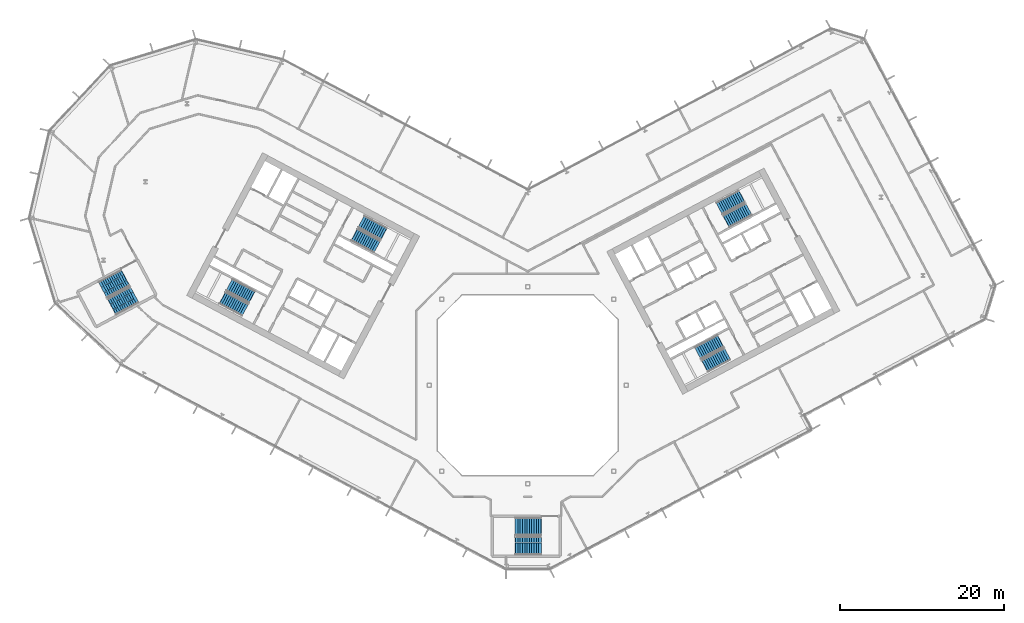
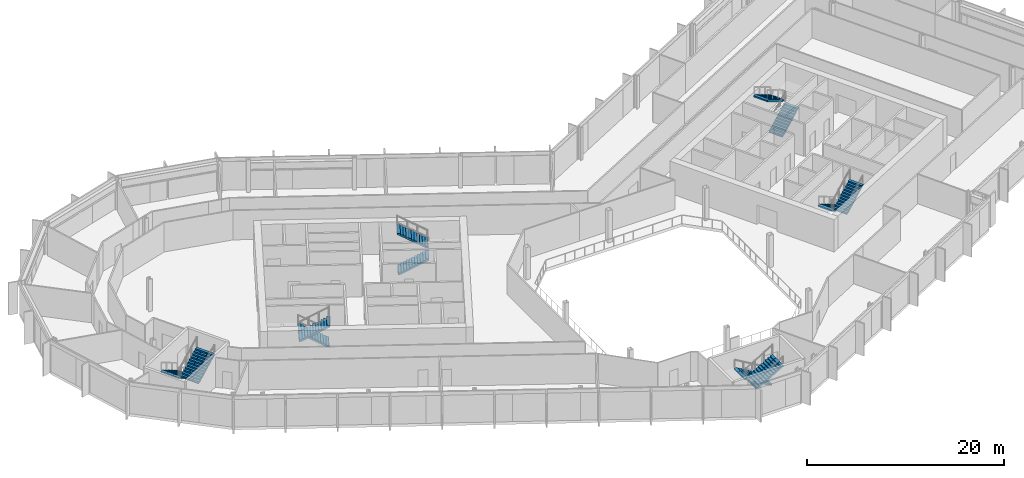
# One storey, part 18 of 28: 12 stair flights, 6 elements without a shape of their own.
"""IFC4 building model written with IfcOpenShell, lengths in metres."""

from ifc_helpers import new_model, si_unit, direction, frame, origin, place, context, subcontext, project, spatial, polyline, outline, extrude, material, type_object, element, aggregate, save


model = new_model("IFC4")

# Units and contexts
model_context = context("Model", 3, precision=1e-05, world=origin(), true_north=direction((0.0, 1.0)))
body_context = subcontext(model_context, "Body", "Model", "MODEL_VIEW")
ifc_project = project(units=[si_unit("LENGTHUNIT", "METRE"), si_unit("AREAUNIT", "SQUARE_METRE"), si_unit("VOLUMEUNIT", "CUBIC_METRE"), si_unit("PLANEANGLEUNIT", "RADIAN"), si_unit("MASSUNIT", "GRAM", prefix="KILO")], contexts=[model_context])

# Site, building, storey
site_placement = place(None, origin())
site = spatial("IfcSite", under=ifc_project, at=site_placement, CompositionType="ELEMENT")
building_placement = place(site_placement, origin())
building = spatial("IfcBuilding", under=site, at=building_placement, Name="Cormorant Relay Tower", CompositionType="ELEMENT")
storey_placement = place(building_placement, frame((0.0, 0.0, 158.199951171875)))
storey = spatial("IfcBuildingStorey", under=building, at=storey_placement, Name="L33", CompositionType="ELEMENT", Elevation=158.199951171875)

# Stair, stair flights
ifc_material_1 = material(Name="Concrete 40 MPa", Category="concrete")
stair_type_1 = type_object("IfcStairType", Name="Exit stair 1500", PredefinedType="HALF_TURN_STAIR", material=ifc_material_1)
stair_1_placement = place(storey_placement, origin())
stair_1 = element("IfcStair", 1, at=stair_1_placement, inside=storey, type_object=stair_type_1, Name="L33 Stair", PredefinedType="HALF_TURN_STAIR")
ifc_material_2 = material(Name="Concrete 40 MPa", Category="concrete")
stair_flight_type_1 = type_object("IfcStairFlightType", Name="Exit stair flight 1650", PredefinedType="STRAIGHT", material=ifc_material_2)
stair_flight_1_placement = place(storey_placement, frame((-21.114501953125, 18.33349609375, 0.0), z_axis=(0.0, 0.0, 1.0), x_axis=(0.882947592859, -0.469471562786, 0.0)))
stair_flight_1 = element("IfcStairFlight", 2, at=stair_flight_1_placement, type_object=stair_flight_type_1, Name="A1 flight 1", NumberOfRisers=12, NumberOfTreads=11, PredefinedType="STRAIGHT", RiserHeight=0.166666667, TreadLength=0.28, context=body_context, shape_type="SweptSolid", body=[
    extrude(outline(polyline([(-0.050048828125, -0.080078125), (-0.050048828125, 0.0), (0.0, 0.0), (0.0, 0.166748046875), (0.280029296875, 0.166748046875), (0.280029296875, 0.333251953125), (0.56005859375, 0.333251953125), (0.56005859375, 0.5), (0.840087890625, 0.5), (0.840087890625, 0.666748046875), (1.1201171875, 0.666748046875), (1.1201171875, 0.833251953125), (1.39990234375, 0.833251953125), (1.39990234375, 1.0), (1.679931640625, 1.0), (1.679931640625, 1.166748046875), (1.9599609375, 1.166748046875), (1.9599609375, 1.333251953125), (2.239990234375, 1.333251953125), (2.239990234375, 1.5), (2.52001953125, 1.5), (2.52001953125, 1.666748046875), (2.800048828125, 1.666748046875), (2.800048828125, 1.833251953125), (3.080078125, 1.833251953125), (3.130126953125, 1.833251953125), (3.130126953125, 1.658935546875), (3.080078125, 1.658935546875), (0.29296875, 0.0), (-0.050048828125, -0.080078125)])), frame((0.0, 0.824951171875, 0.0), z_axis=(0.0, -1.0, 0.0), x_axis=(1.0, 0.0, 0.0)), (0.0, 0.0, 1.0), 1.64990234375),
])
stair_flight_2_placement = place(storey_placement, frame((-17.5498046875, 18.47705078125, 2.0), z_axis=(0.0, 0.0, 1.0), x_axis=(-0.882947592859, 0.469471562786, 0.0)))
stair_flight_2 = element("IfcStairFlight", 3, at=stair_flight_2_placement, type_object=stair_flight_type_1, Name="A1 flight 2", NumberOfRisers=12, NumberOfTreads=11, PredefinedType="STRAIGHT", RiserHeight=0.166666667, TreadLength=0.28, context=body_context, shape_type="SweptSolid", body=[
    extrude(outline(polyline([(-0.050048828125, -0.080078125), (-0.050048828125, 0.0), (0.0, 0.0), (0.0, 0.166748046875), (0.280029296875, 0.166748046875), (0.280029296875, 0.333251953125), (0.56005859375, 0.333251953125), (0.56005859375, 0.5), (0.840087890625, 0.5), (0.840087890625, 0.666748046875), (1.1201171875, 0.666748046875), (1.1201171875, 0.833251953125), (1.39990234375, 0.833251953125), (1.39990234375, 1.0), (1.679931640625, 1.0), (1.679931640625, 1.166748046875), (1.9599609375, 1.166748046875), (1.9599609375, 1.333251953125), (2.239990234375, 1.333251953125), (2.239990234375, 1.5), (2.52001953125, 1.5), (2.52001953125, 1.666748046875), (2.800048828125, 1.666748046875), (2.800048828125, 1.833251953125), (3.080078125, 1.833251953125), (3.130126953125, 1.833251953125), (3.130126953125, 1.658935546875), (3.080078125, 1.658935546875), (0.29296875, 0.0), (-0.050048828125, -0.080078125)])), frame((0.0, 0.824951171875, 0.0), z_axis=(0.0, -1.0, 0.0), x_axis=(1.0, 0.0, 0.0)), (0.0, 0.0, 1.0), 1.64990234375),
])
aggregate(stair_1, [stair_flight_1, stair_flight_2])

stair_2_placement = place(storey_placement, origin())
stair_2 = element("IfcStair", 4, at=stair_2_placement, inside=storey, type_object=stair_type_1, Name="L33 Stair", PredefinedType="HALF_TURN_STAIR")
stair_flight_3_placement = place(storey_placement, frame((-33.62841796875, 10.773681640625, 0.0), z_axis=(0.0, 0.0, 1.0), x_axis=(-0.882947592859, 0.469471562786, 0.0)))
stair_flight_3 = element("IfcStairFlight", 5, at=stair_flight_3_placement, type_object=stair_flight_type_1, Name="A2 flight 1", NumberOfRisers=12, NumberOfTreads=11, PredefinedType="STRAIGHT", RiserHeight=0.166666667, TreadLength=0.28, context=body_context, shape_type="SweptSolid", body=[
    extrude(outline(polyline([(-0.050048828125, -0.080078125), (-0.050048828125, 0.0), (0.0, 0.0), (0.0, 0.166748046875), (0.280029296875, 0.166748046875), (0.280029296875, 0.333251953125), (0.56005859375, 0.333251953125), (0.56005859375, 0.5), (0.840087890625, 0.5), (0.840087890625, 0.666748046875), (1.1201171875, 0.666748046875), (1.1201171875, 0.833251953125), (1.39990234375, 0.833251953125), (1.39990234375, 1.0), (1.679931640625, 1.0), (1.679931640625, 1.166748046875), (1.9599609375, 1.166748046875), (1.9599609375, 1.333251953125), (2.239990234375, 1.333251953125), (2.239990234375, 1.5), (2.52001953125, 1.5), (2.52001953125, 1.666748046875), (2.800048828125, 1.666748046875), (2.800048828125, 1.833251953125), (3.080078125, 1.833251953125), (3.130126953125, 1.833251953125), (3.130126953125, 1.658935546875), (3.080078125, 1.658935546875), (0.29296875, 0.0), (-0.050048828125, -0.080078125)])), frame((0.0, 0.824951171875, 0.0), z_axis=(0.0, -1.0, 0.0), x_axis=(1.0, 0.0, 0.0)), (0.0, 0.0, 1.0), 1.64990234375),
])
stair_flight_4_placement = place(storey_placement, frame((-37.19287109375, 10.63037109375, 2.0), z_axis=(0.0, 0.0, 1.0), x_axis=(0.882947592859, -0.469471562786, 0.0)))
stair_flight_4 = element("IfcStairFlight", 6, at=stair_flight_4_placement, type_object=stair_flight_type_1, Name="A2 flight 2", NumberOfRisers=12, NumberOfTreads=11, PredefinedType="STRAIGHT", RiserHeight=0.166666667, TreadLength=0.28, context=body_context, shape_type="SweptSolid", body=[
    extrude(outline(polyline([(-0.050048828125, -0.080078125), (-0.050048828125, 0.0), (0.0, 0.0), (0.0, 0.166748046875), (0.280029296875, 0.166748046875), (0.280029296875, 0.333251953125), (0.56005859375, 0.333251953125), (0.56005859375, 0.5), (0.840087890625, 0.5), (0.840087890625, 0.666748046875), (1.1201171875, 0.666748046875), (1.1201171875, 0.833251953125), (1.39990234375, 0.833251953125), (1.39990234375, 1.0), (1.679931640625, 1.0), (1.679931640625, 1.166748046875), (1.9599609375, 1.166748046875), (1.9599609375, 1.333251953125), (2.239990234375, 1.333251953125), (2.239990234375, 1.5), (2.52001953125, 1.5), (2.52001953125, 1.666748046875), (2.800048828125, 1.666748046875), (2.800048828125, 1.833251953125), (3.080078125, 1.833251953125), (3.130126953125, 1.833251953125), (3.130126953125, 1.658935546875), (3.080078125, 1.658935546875), (0.29296875, 0.0), (-0.050048828125, -0.080078125)])), frame((0.0, 0.824951171875, 0.0), z_axis=(0.0, -1.0, 0.0), x_axis=(1.0, 0.0, 0.0)), (0.0, 0.0, 1.0), 1.64990234375),
])
aggregate(stair_2, [stair_flight_3, stair_flight_4])

stair_3_placement = place(storey_placement, origin())
stair_3 = element("IfcStair", 7, at=stair_3_placement, inside=storey, type_object=stair_type_1, Name="L33 Stair", PredefinedType="HALF_TURN_STAIR")
stair_flight_5_placement = place(storey_placement, frame((23.474365234375, 5.374755859375, 0.0), z_axis=(0.0, 0.0, 1.0), x_axis=(-0.882947592859, -0.469471562786, 0.0)))
stair_flight_5 = element("IfcStairFlight", 8, at=stair_flight_5_placement, type_object=stair_flight_type_1, Name="B1 flight 1", NumberOfRisers=12, NumberOfTreads=11, PredefinedType="STRAIGHT", RiserHeight=0.166666667, TreadLength=0.28, context=body_context, shape_type="SweptSolid", body=[
    extrude(outline(polyline([(-0.050048828125, -0.080078125), (-0.050048828125, 0.0), (0.0, 0.0), (0.0, 0.166748046875), (0.280029296875, 0.166748046875), (0.280029296875, 0.333251953125), (0.56005859375, 0.333251953125), (0.56005859375, 0.5), (0.840087890625, 0.5), (0.840087890625, 0.666748046875), (1.1201171875, 0.666748046875), (1.1201171875, 0.833251953125), (1.39990234375, 0.833251953125), (1.39990234375, 1.0), (1.679931640625, 1.0), (1.679931640625, 1.166748046875), (1.9599609375, 1.166748046875), (1.9599609375, 1.333251953125), (2.239990234375, 1.333251953125), (2.239990234375, 1.5), (2.52001953125, 1.5), (2.52001953125, 1.666748046875), (2.800048828125, 1.666748046875), (2.800048828125, 1.833251953125), (3.080078125, 1.833251953125), (3.130126953125, 1.833251953125), (3.130126953125, 1.658935546875), (3.080078125, 1.658935546875), (0.29296875, 0.0), (-0.050048828125, -0.080078125)])), frame((0.0, 0.824951171875, 0.0), z_axis=(0.0, -1.0, 0.0), x_axis=(1.0, 0.0, 0.0)), (0.0, 0.0, 1.0), 1.64990234375),
])
stair_flight_6_placement = place(storey_placement, frame((21.60009765625, 2.33935546875, 2.0), z_axis=(0.0, 0.0, 1.0), x_axis=(0.882947592859, 0.469471562786, 0.0)))
stair_flight_6 = element("IfcStairFlight", 9, at=stair_flight_6_placement, type_object=stair_flight_type_1, Name="B1 flight 2", NumberOfRisers=12, NumberOfTreads=11, PredefinedType="STRAIGHT", RiserHeight=0.166666667, TreadLength=0.28, context=body_context, shape_type="SweptSolid", body=[
    extrude(outline(polyline([(-0.050048828125, -0.080078125), (-0.050048828125, 0.0), (0.0, 0.0), (0.0, 0.166748046875), (0.280029296875, 0.166748046875), (0.280029296875, 0.333251953125), (0.56005859375, 0.333251953125), (0.56005859375, 0.5), (0.840087890625, 0.5), (0.840087890625, 0.666748046875), (1.1201171875, 0.666748046875), (1.1201171875, 0.833251953125), (1.39990234375, 0.833251953125), (1.39990234375, 1.0), (1.679931640625, 1.0), (1.679931640625, 1.166748046875), (1.9599609375, 1.166748046875), (1.9599609375, 1.333251953125), (2.239990234375, 1.333251953125), (2.239990234375, 1.5), (2.52001953125, 1.5), (2.52001953125, 1.666748046875), (2.800048828125, 1.666748046875), (2.800048828125, 1.833251953125), (3.080078125, 1.833251953125), (3.130126953125, 1.833251953125), (3.130126953125, 1.658935546875), (3.080078125, 1.658935546875), (0.29296875, 0.0), (-0.050048828125, -0.080078125)])), frame((0.0, 0.824951171875, 0.0), z_axis=(0.0, -1.0, 0.0), x_axis=(1.0, 0.0, 0.0)), (0.0, 0.0, 1.0), 1.64990234375),
])
aggregate(stair_3, [stair_flight_5, stair_flight_6])

stair_4_placement = place(storey_placement, origin())
stair_4 = element("IfcStair", 10, at=stair_4_placement, inside=storey, type_object=stair_type_1, Name="L33 Stair", PredefinedType="HALF_TURN_STAIR")
stair_flight_7_placement = place(storey_placement, frame((24.20458984375, 19.976806640625, 0.0), z_axis=(0.0, 0.0, 1.0), x_axis=(0.882947592859, 0.469471562786, 0.0)))
stair_flight_7 = element("IfcStairFlight", 11, at=stair_flight_7_placement, type_object=stair_flight_type_1, Name="B2 flight 1", NumberOfRisers=12, NumberOfTreads=11, PredefinedType="STRAIGHT", RiserHeight=0.166666667, TreadLength=0.28, context=body_context, shape_type="SweptSolid", body=[
    extrude(outline(polyline([(-0.050048828125, -0.080078125), (-0.050048828125, 0.0), (0.0, 0.0), (0.0, 0.166748046875), (0.280029296875, 0.166748046875), (0.280029296875, 0.333251953125), (0.56005859375, 0.333251953125), (0.56005859375, 0.5), (0.840087890625, 0.5), (0.840087890625, 0.666748046875), (1.1201171875, 0.666748046875), (1.1201171875, 0.833251953125), (1.39990234375, 0.833251953125), (1.39990234375, 1.0), (1.679931640625, 1.0), (1.679931640625, 1.166748046875), (1.9599609375, 1.166748046875), (1.9599609375, 1.333251953125), (2.239990234375, 1.333251953125), (2.239990234375, 1.5), (2.52001953125, 1.5), (2.52001953125, 1.666748046875), (2.800048828125, 1.666748046875), (2.800048828125, 1.833251953125), (3.080078125, 1.833251953125), (3.130126953125, 1.833251953125), (3.130126953125, 1.658935546875), (3.080078125, 1.658935546875), (0.29296875, 0.0), (-0.050048828125, -0.080078125)])), frame((0.0, 0.824951171875, 0.0), z_axis=(0.0, -1.0, 0.0), x_axis=(1.0, 0.0, 0.0)), (0.0, 0.0, 1.0), 1.64990234375),
])
stair_flight_8_placement = place(storey_placement, frame((26.0791015625, 23.011962890625, 2.0), z_axis=(0.0, 0.0, 1.0), x_axis=(-0.882947592859, -0.469471562786, 0.0)))
stair_flight_8 = element("IfcStairFlight", 12, at=stair_flight_8_placement, type_object=stair_flight_type_1, Name="B2 flight 2", NumberOfRisers=12, NumberOfTreads=11, PredefinedType="STRAIGHT", RiserHeight=0.166666667, TreadLength=0.28, context=body_context, shape_type="SweptSolid", body=[
    extrude(outline(polyline([(-0.050048828125, -0.080078125), (-0.050048828125, 0.0), (0.0, 0.0), (0.0, 0.166748046875), (0.280029296875, 0.166748046875), (0.280029296875, 0.333251953125), (0.56005859375, 0.333251953125), (0.56005859375, 0.5), (0.840087890625, 0.5), (0.840087890625, 0.666748046875), (1.1201171875, 0.666748046875), (1.1201171875, 0.833251953125), (1.39990234375, 0.833251953125), (1.39990234375, 1.0), (1.679931640625, 1.0), (1.679931640625, 1.166748046875), (1.9599609375, 1.166748046875), (1.9599609375, 1.333251953125), (2.239990234375, 1.333251953125), (2.239990234375, 1.5), (2.52001953125, 1.5), (2.52001953125, 1.666748046875), (2.800048828125, 1.666748046875), (2.800048828125, 1.833251953125), (3.080078125, 1.833251953125), (3.130126953125, 1.833251953125), (3.130126953125, 1.658935546875), (3.080078125, 1.658935546875), (0.29296875, 0.0), (-0.050048828125, -0.080078125)])), frame((0.0, 0.824951171875, 0.0), z_axis=(0.0, -1.0, 0.0), x_axis=(1.0, 0.0, 0.0)), (0.0, 0.0, 1.0), 1.64990234375),
])
aggregate(stair_4, [stair_flight_7, stair_flight_8])

ifc_material_3 = material(Name="Concrete 40 MPa", Category="concrete")
stair_type_2 = type_object("IfcStairType", Name="Remote exit stair 2200", PredefinedType="HALF_TURN_STAIR", material=ifc_material_3)
stair_5_placement = place(storey_placement, origin())
stair_5 = element("IfcStair", 13, at=stair_5_placement, inside=storey, type_object=stair_type_2, Name="L33 Stair", PredefinedType="HALF_TURN_STAIR")
ifc_material_4 = material(Name="Concrete 40 MPa", Category="concrete")
stair_flight_type_2 = type_object("IfcStairFlightType", Name="Remote exit stair flight 2200", PredefinedType="STRAIGHT", material=ifc_material_4)
stair_flight_9_placement = place(storey_placement, frame((1.60009765625, -17.22509765625, 0.0), z_axis=(0.0, 0.0, 1.0), x_axis=(-1.0, 0.0, 0.0)))
stair_flight_9 = element("IfcStairFlight", 14, at=stair_flight_9_placement, type_object=stair_flight_type_2, Name="RK1 flight 1", NumberOfRisers=12, NumberOfTreads=11, PredefinedType="STRAIGHT", RiserHeight=0.166666667, TreadLength=0.28, context=body_context, shape_type="SweptSolid", body=[
    extrude(outline(polyline([(-0.050048828125, -0.080078125), (-0.050048828125, 0.0), (0.0, 0.0), (0.0, 0.166748046875), (0.280029296875, 0.166748046875), (0.280029296875, 0.333251953125), (0.56005859375, 0.333251953125), (0.56005859375, 0.5), (0.840087890625, 0.5), (0.840087890625, 0.666748046875), (1.1201171875, 0.666748046875), (1.1201171875, 0.833251953125), (1.39990234375, 0.833251953125), (1.39990234375, 1.0), (1.679931640625, 1.0), (1.679931640625, 1.166748046875), (1.9599609375, 1.166748046875), (1.9599609375, 1.333251953125), (2.239990234375, 1.333251953125), (2.239990234375, 1.5), (2.52001953125, 1.5), (2.52001953125, 1.666748046875), (2.800048828125, 1.666748046875), (2.800048828125, 1.833251953125), (3.080078125, 1.833251953125), (3.130126953125, 1.833251953125), (3.130126953125, 1.658935546875), (3.080078125, 1.658935546875), (0.29296875, 0.0), (-0.050048828125, -0.080078125)])), frame((0.0, 1.10009765625, 0.0), z_axis=(0.0, -1.0, 0.0), x_axis=(1.0, 0.0, 0.0)), (0.0, 0.0, 1.0), 0.719970703125),
    extrude(outline(polyline([(-0.050048828125, -0.080078125), (-0.050048828125, 0.0), (0.0, 0.0), (0.0, 0.166748046875), (0.280029296875, 0.166748046875), (0.280029296875, 0.333251953125), (0.56005859375, 0.333251953125), (0.56005859375, 0.5), (0.840087890625, 0.5), (0.840087890625, 0.666748046875), (1.1201171875, 0.666748046875), (1.1201171875, 0.833251953125), (1.39990234375, 0.833251953125), (1.39990234375, 1.0), (1.679931640625, 1.0), (1.679931640625, 1.166748046875), (1.9599609375, 1.166748046875), (1.9599609375, 1.333251953125), (2.239990234375, 1.333251953125), (2.239990234375, 1.5), (2.52001953125, 1.5), (2.52001953125, 1.666748046875), (2.800048828125, 1.666748046875), (2.800048828125, 1.833251953125), (3.080078125, 1.833251953125), (3.130126953125, 1.833251953125), (3.130126953125, 1.658935546875), (3.080078125, 1.658935546875), (0.29296875, 0.0), (-0.050048828125, -0.080078125)])), frame((0.0, 0.360107421875, 0.0), z_axis=(0.0, -1.0, 0.0), x_axis=(1.0, 0.0, 0.0)), (0.0, 0.0, 1.0), 0.719970703125),
    extrude(outline(polyline([(-0.050048828125, -0.080078125), (-0.050048828125, 0.0), (0.0, 0.0), (0.0, 0.166748046875), (0.280029296875, 0.166748046875), (0.280029296875, 0.333251953125), (0.56005859375, 0.333251953125), (0.56005859375, 0.5), (0.840087890625, 0.5), (0.840087890625, 0.666748046875), (1.1201171875, 0.666748046875), (1.1201171875, 0.833251953125), (1.39990234375, 0.833251953125), (1.39990234375, 1.0), (1.679931640625, 1.0), (1.679931640625, 1.166748046875), (1.9599609375, 1.166748046875), (1.9599609375, 1.333251953125), (2.239990234375, 1.333251953125), (2.239990234375, 1.5), (2.52001953125, 1.5), (2.52001953125, 1.666748046875), (2.800048828125, 1.666748046875), (2.800048828125, 1.833251953125), (3.080078125, 1.833251953125), (3.130126953125, 1.833251953125), (3.130126953125, 1.658935546875), (3.080078125, 1.658935546875), (0.29296875, 0.0), (-0.050048828125, -0.080078125)])), frame((0.0, -0.3798828125, 0.0), z_axis=(0.0, -1.0, 0.0), x_axis=(1.0, 0.0, 0.0)), (0.0, 0.0, 1.0), 0.719970703125),
])
stair_flight_10_placement = place(storey_placement, frame((-1.47998046875, -19.574951171875, 2.0), z_axis=(0.0, 0.0, 1.0), x_axis=(1.0, 0.0, 0.0)))
stair_flight_10 = element("IfcStairFlight", 15, at=stair_flight_10_placement, type_object=stair_flight_type_2, Name="RK1 flight 2", NumberOfRisers=12, NumberOfTreads=11, PredefinedType="STRAIGHT", RiserHeight=0.166666667, TreadLength=0.28, context=body_context, shape_type="SweptSolid", body=[
    extrude(outline(polyline([(-0.050048828125, -0.080078125), (-0.050048828125, 0.0), (0.0, 0.0), (0.0, 0.166748046875), (0.280029296875, 0.166748046875), (0.280029296875, 0.333251953125), (0.56005859375, 0.333251953125), (0.56005859375, 0.5), (0.840087890625, 0.5), (0.840087890625, 0.666748046875), (1.1201171875, 0.666748046875), (1.1201171875, 0.833251953125), (1.39990234375, 0.833251953125), (1.39990234375, 1.0), (1.679931640625, 1.0), (1.679931640625, 1.166748046875), (1.9599609375, 1.166748046875), (1.9599609375, 1.333251953125), (2.239990234375, 1.333251953125), (2.239990234375, 1.5), (2.52001953125, 1.5), (2.52001953125, 1.666748046875), (2.800048828125, 1.666748046875), (2.800048828125, 1.833251953125), (3.080078125, 1.833251953125), (3.130126953125, 1.833251953125), (3.130126953125, 1.658935546875), (3.080078125, 1.658935546875), (0.29296875, 0.0), (-0.050048828125, -0.080078125)])), frame((0.0, 1.10009765625, 0.0), z_axis=(0.0, -1.0, 0.0), x_axis=(1.0, 0.0, 0.0)), (0.0, 0.0, 1.0), 0.719970703125),
    extrude(outline(polyline([(-0.050048828125, -0.080078125), (-0.050048828125, 0.0), (0.0, 0.0), (0.0, 0.166748046875), (0.280029296875, 0.166748046875), (0.280029296875, 0.333251953125), (0.56005859375, 0.333251953125), (0.56005859375, 0.5), (0.840087890625, 0.5), (0.840087890625, 0.666748046875), (1.1201171875, 0.666748046875), (1.1201171875, 0.833251953125), (1.39990234375, 0.833251953125), (1.39990234375, 1.0), (1.679931640625, 1.0), (1.679931640625, 1.166748046875), (1.9599609375, 1.166748046875), (1.9599609375, 1.333251953125), (2.239990234375, 1.333251953125), (2.239990234375, 1.5), (2.52001953125, 1.5), (2.52001953125, 1.666748046875), (2.800048828125, 1.666748046875), (2.800048828125, 1.833251953125), (3.080078125, 1.833251953125), (3.130126953125, 1.833251953125), (3.130126953125, 1.658935546875), (3.080078125, 1.658935546875), (0.29296875, 0.0), (-0.050048828125, -0.080078125)])), frame((0.0, 0.360107421875, 0.0), z_axis=(0.0, -1.0, 0.0), x_axis=(1.0, 0.0, 0.0)), (0.0, 0.0, 1.0), 0.719970703125),
    extrude(outline(polyline([(-0.050048828125, -0.080078125), (-0.050048828125, 0.0), (0.0, 0.0), (0.0, 0.166748046875), (0.280029296875, 0.166748046875), (0.280029296875, 0.333251953125), (0.56005859375, 0.333251953125), (0.56005859375, 0.5), (0.840087890625, 0.5), (0.840087890625, 0.666748046875), (1.1201171875, 0.666748046875), (1.1201171875, 0.833251953125), (1.39990234375, 0.833251953125), (1.39990234375, 1.0), (1.679931640625, 1.0), (1.679931640625, 1.166748046875), (1.9599609375, 1.166748046875), (1.9599609375, 1.333251953125), (2.239990234375, 1.333251953125), (2.239990234375, 1.5), (2.52001953125, 1.5), (2.52001953125, 1.666748046875), (2.800048828125, 1.666748046875), (2.800048828125, 1.833251953125), (3.080078125, 1.833251953125), (3.130126953125, 1.833251953125), (3.130126953125, 1.658935546875), (3.080078125, 1.658935546875), (0.29296875, 0.0), (-0.050048828125, -0.080078125)])), frame((0.0, -0.3798828125, 0.0), z_axis=(0.0, -1.0, 0.0), x_axis=(1.0, 0.0, 0.0)), (0.0, 0.0, 1.0), 0.719970703125),
])
aggregate(stair_5, [stair_flight_9, stair_flight_10])

stair_6_placement = place(storey_placement, origin())
stair_6 = element("IfcStair", 16, at=stair_6_placement, inside=storey, type_object=stair_type_2, Name="L33 Stair", PredefinedType="HALF_TURN_STAIR")
stair_flight_11_placement = place(storey_placement, frame((-49.062255859375, 13.08251953125, 0.0), z_axis=(0.0, 0.0, 1.0), x_axis=(-0.882947502727, -0.4694717323, 0.0)))
stair_flight_11 = element("IfcStairFlight", 17, at=stair_flight_11_placement, type_object=stair_flight_type_2, Name="RP1 flight 1", NumberOfRisers=12, NumberOfTreads=11, PredefinedType="STRAIGHT", RiserHeight=0.166666667, TreadLength=0.28, context=body_context, shape_type="SweptSolid", body=[
    extrude(outline(polyline([(-0.050048828125, -0.080078125), (-0.050048828125, 0.0), (0.0, 0.0), (0.0, 0.166748046875), (0.280029296875, 0.166748046875), (0.280029296875, 0.333251953125), (0.56005859375, 0.333251953125), (0.56005859375, 0.5), (0.840087890625, 0.5), (0.840087890625, 0.666748046875), (1.1201171875, 0.666748046875), (1.1201171875, 0.833251953125), (1.39990234375, 0.833251953125), (1.39990234375, 1.0), (1.679931640625, 1.0), (1.679931640625, 1.166748046875), (1.9599609375, 1.166748046875), (1.9599609375, 1.333251953125), (2.239990234375, 1.333251953125), (2.239990234375, 1.5), (2.52001953125, 1.5), (2.52001953125, 1.666748046875), (2.800048828125, 1.666748046875), (2.800048828125, 1.833251953125), (3.080078125, 1.833251953125), (3.130126953125, 1.833251953125), (3.130126953125, 1.658935546875), (3.080078125, 1.658935546875), (0.29296875, 0.0), (-0.050048828125, -0.080078125)])), frame((0.0, 1.10009765625, 0.0), z_axis=(0.0, -1.0, 0.0), x_axis=(1.0, 0.0, 0.0)), (0.0, 0.0, 1.0), 0.719970703125),
    extrude(outline(polyline([(-0.050048828125, -0.080078125), (-0.050048828125, 0.0), (0.0, 0.0), (0.0, 0.166748046875), (0.280029296875, 0.166748046875), (0.280029296875, 0.333251953125), (0.56005859375, 0.333251953125), (0.56005859375, 0.5), (0.840087890625, 0.5), (0.840087890625, 0.666748046875), (1.1201171875, 0.666748046875), (1.1201171875, 0.833251953125), (1.39990234375, 0.833251953125), (1.39990234375, 1.0), (1.679931640625, 1.0), (1.679931640625, 1.166748046875), (1.9599609375, 1.166748046875), (1.9599609375, 1.333251953125), (2.239990234375, 1.333251953125), (2.239990234375, 1.5), (2.52001953125, 1.5), (2.52001953125, 1.666748046875), (2.800048828125, 1.666748046875), (2.800048828125, 1.833251953125), (3.080078125, 1.833251953125), (3.130126953125, 1.833251953125), (3.130126953125, 1.658935546875), (3.080078125, 1.658935546875), (0.29296875, 0.0), (-0.050048828125, -0.080078125)])), frame((0.0, 0.360107421875, 0.0), z_axis=(0.0, -1.0, 0.0), x_axis=(1.0, 0.0, 0.0)), (0.0, 0.0, 1.0), 0.719970703125),
    extrude(outline(polyline([(-0.050048828125, -0.080078125), (-0.050048828125, 0.0), (0.0, 0.0), (0.0, 0.166748046875), (0.280029296875, 0.166748046875), (0.280029296875, 0.333251953125), (0.56005859375, 0.333251953125), (0.56005859375, 0.5), (0.840087890625, 0.5), (0.840087890625, 0.666748046875), (1.1201171875, 0.666748046875), (1.1201171875, 0.833251953125), (1.39990234375, 0.833251953125), (1.39990234375, 1.0), (1.679931640625, 1.0), (1.679931640625, 1.166748046875), (1.9599609375, 1.166748046875), (1.9599609375, 1.333251953125), (2.239990234375, 1.333251953125), (2.239990234375, 1.5), (2.52001953125, 1.5), (2.52001953125, 1.666748046875), (2.800048828125, 1.666748046875), (2.800048828125, 1.833251953125), (3.080078125, 1.833251953125), (3.130126953125, 1.833251953125), (3.130126953125, 1.658935546875), (3.080078125, 1.658935546875), (0.29296875, 0.0), (-0.050048828125, -0.080078125)])), frame((0.0, -0.3798828125, 0.0), z_axis=(0.0, -1.0, 0.0), x_axis=(1.0, 0.0, 0.0)), (0.0, 0.0, 1.0), 0.719970703125),
])
stair_flight_12_placement = place(storey_placement, frame((-50.678466796875, 9.5615234375, 2.0), z_axis=(0.0, 0.0, 1.0), x_axis=(0.882947502727, 0.4694717323, 0.0)))
stair_flight_12 = element("IfcStairFlight", 18, at=stair_flight_12_placement, type_object=stair_flight_type_2, Name="RP1 flight 2", NumberOfRisers=12, NumberOfTreads=11, PredefinedType="STRAIGHT", RiserHeight=0.166666667, TreadLength=0.28, context=body_context, shape_type="SweptSolid", body=[
    extrude(outline(polyline([(-0.050048828125, -0.080078125), (-0.050048828125, 0.0), (0.0, 0.0), (0.0, 0.166748046875), (0.280029296875, 0.166748046875), (0.280029296875, 0.333251953125), (0.56005859375, 0.333251953125), (0.56005859375, 0.5), (0.840087890625, 0.5), (0.840087890625, 0.666748046875), (1.1201171875, 0.666748046875), (1.1201171875, 0.833251953125), (1.39990234375, 0.833251953125), (1.39990234375, 1.0), (1.679931640625, 1.0), (1.679931640625, 1.166748046875), (1.9599609375, 1.166748046875), (1.9599609375, 1.333251953125), (2.239990234375, 1.333251953125), (2.239990234375, 1.5), (2.52001953125, 1.5), (2.52001953125, 1.666748046875), (2.800048828125, 1.666748046875), (2.800048828125, 1.833251953125), (3.080078125, 1.833251953125), (3.130126953125, 1.833251953125), (3.130126953125, 1.658935546875), (3.080078125, 1.658935546875), (0.29296875, 0.0), (-0.050048828125, -0.080078125)])), frame((0.0, 1.10009765625, 0.0), z_axis=(0.0, -1.0, 0.0), x_axis=(1.0, 0.0, 0.0)), (0.0, 0.0, 1.0), 0.719970703125),
    extrude(outline(polyline([(-0.050048828125, -0.080078125), (-0.050048828125, 0.0), (0.0, 0.0), (0.0, 0.166748046875), (0.280029296875, 0.166748046875), (0.280029296875, 0.333251953125), (0.56005859375, 0.333251953125), (0.56005859375, 0.5), (0.840087890625, 0.5), (0.840087890625, 0.666748046875), (1.1201171875, 0.666748046875), (1.1201171875, 0.833251953125), (1.39990234375, 0.833251953125), (1.39990234375, 1.0), (1.679931640625, 1.0), (1.679931640625, 1.166748046875), (1.9599609375, 1.166748046875), (1.9599609375, 1.333251953125), (2.239990234375, 1.333251953125), (2.239990234375, 1.5), (2.52001953125, 1.5), (2.52001953125, 1.666748046875), (2.800048828125, 1.666748046875), (2.800048828125, 1.833251953125), (3.080078125, 1.833251953125), (3.130126953125, 1.833251953125), (3.130126953125, 1.658935546875), (3.080078125, 1.658935546875), (0.29296875, 0.0), (-0.050048828125, -0.080078125)])), frame((0.0, 0.360107421875, 0.0), z_axis=(0.0, -1.0, 0.0), x_axis=(1.0, 0.0, 0.0)), (0.0, 0.0, 1.0), 0.719970703125),
    extrude(outline(polyline([(-0.050048828125, -0.080078125), (-0.050048828125, 0.0), (0.0, 0.0), (0.0, 0.166748046875), (0.280029296875, 0.166748046875), (0.280029296875, 0.333251953125), (0.56005859375, 0.333251953125), (0.56005859375, 0.5), (0.840087890625, 0.5), (0.840087890625, 0.666748046875), (1.1201171875, 0.666748046875), (1.1201171875, 0.833251953125), (1.39990234375, 0.833251953125), (1.39990234375, 1.0), (1.679931640625, 1.0), (1.679931640625, 1.166748046875), (1.9599609375, 1.166748046875), (1.9599609375, 1.333251953125), (2.239990234375, 1.333251953125), (2.239990234375, 1.5), (2.52001953125, 1.5), (2.52001953125, 1.666748046875), (2.800048828125, 1.666748046875), (2.800048828125, 1.833251953125), (3.080078125, 1.833251953125), (3.130126953125, 1.833251953125), (3.130126953125, 1.658935546875), (3.080078125, 1.658935546875), (0.29296875, 0.0), (-0.050048828125, -0.080078125)])), frame((0.0, -0.3798828125, 0.0), z_axis=(0.0, -1.0, 0.0), x_axis=(1.0, 0.0, 0.0)), (0.0, 0.0, 1.0), 0.719970703125),
])
aggregate(stair_6, [stair_flight_11, stair_flight_12])

save(model, "model.ifc")
